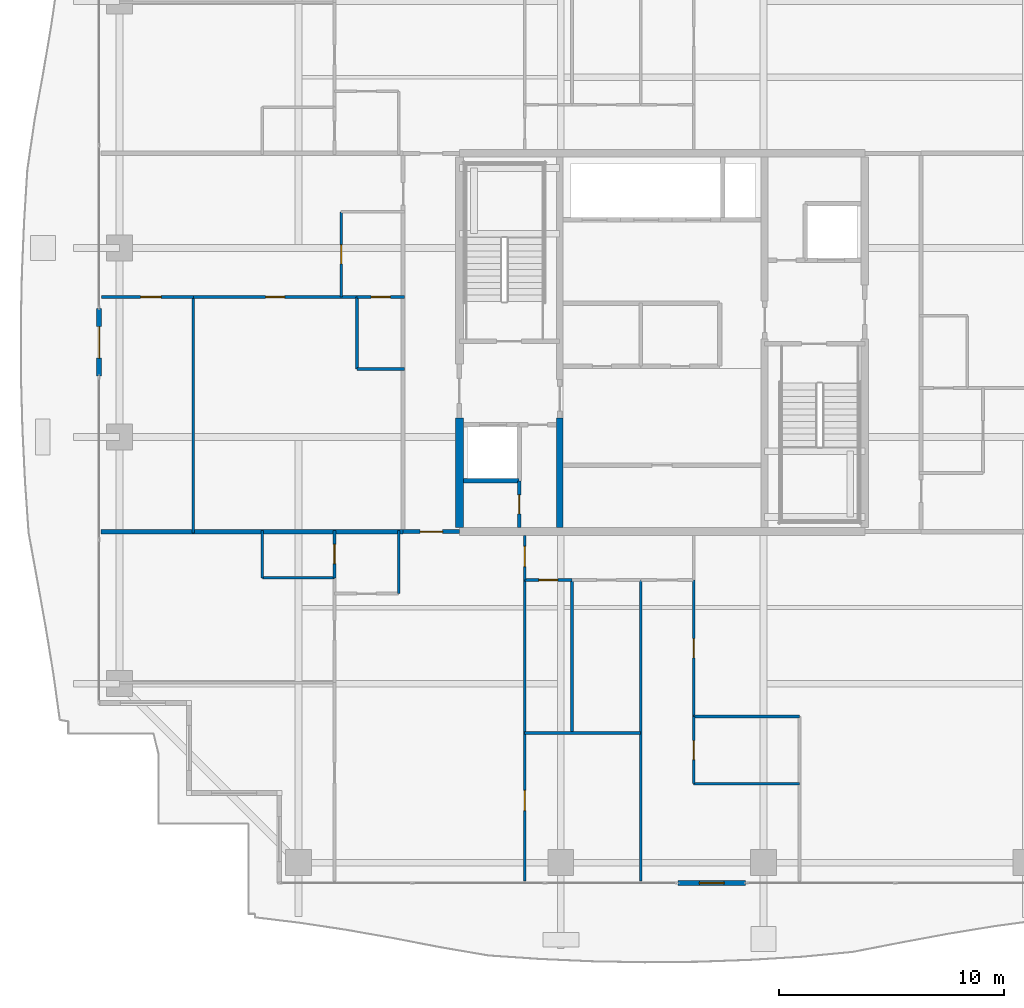
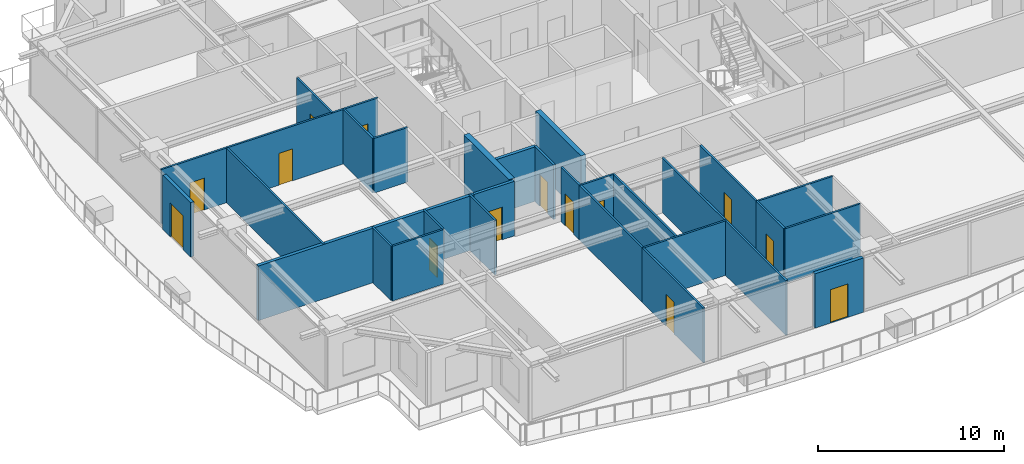
# One storey, part 25 of 36: 30 walls, 14 doors, 14 openings.
"""IFC4 building model written with IfcOpenShell, lengths in metres."""

from ifc_helpers import new_model, si_unit, direction, frame, frame_2d, origin, place, context, subcontext, project, spatial, rectangle, extrude, source, transform, mapped, material, layer, layer_set, type_object, element, fill, save


model = new_model("IFC4")

# Units and contexts
model_context = context("Model", 3, precision=1e-05, world=origin(), true_north=direction((0.0, 1.0)))
body_context = subcontext(model_context, "Body", "Model", "MODEL_VIEW")
ifc_project = project(units=[si_unit("LENGTHUNIT", "METRE"), si_unit("AREAUNIT", "SQUARE_METRE"), si_unit("VOLUMEUNIT", "CUBIC_METRE"), si_unit("PLANEANGLEUNIT", "RADIAN"), si_unit("MASSUNIT", "GRAM", prefix="KILO")], contexts=[model_context])

# Site, building, storey
site_placement = place(None, origin())
site = spatial("IfcSite", under=ifc_project, at=site_placement, CompositionType="ELEMENT")
building_placement = place(site_placement, origin())
building = spatial("IfcBuilding", under=site, at=building_placement, Name="Serunith Strait Residences", CompositionType="ELEMENT")
storey_placement = place(building_placement, frame((0.0, 0.0, 225.85009765625)))
storey = spatial("IfcBuildingStorey", under=building, at=storey_placement, Name="L56", CompositionType="ELEMENT", Elevation=225.85009765625)

# Wall, opening, door
ifc_material_1 = material(Name="Pale-Champagne Aluminium Insulated Panel", Category="aluminium")
ifc_layer_1 = layer(ifc_material_1, 0.219970703125, Name="Pale-Champagne Aluminium Insulated Panel")
ifc_layer_set_1 = layer_set([ifc_layer_1], Name="Pale-Champagne Aluminium Insulated Panel")
wall_type_1 = type_object("IfcWallType", Name="EW-ALUM-220", PredefinedType="ELEMENTEDWALL", material=ifc_layer_set_1)
wall_1_placement = place(storey_placement, frame((33.10009765625, 1.199951171875, 0.0), z_axis=(0.0, 0.0, 1.0), x_axis=(1.0, 0.0, 0.0)))
wall_1 = element("IfcWall", 1, at=wall_1_placement, inside=storey, type_object=wall_type_1, Name="L56 S Facade Pier Wall", PredefinedType="ELEMENTEDWALL", context=body_context, shape_type="SweptSolid", body=[
    extrude(rectangle(XDim=3.0, YDim=0.219970703125, at=frame_2d((1.5, 0.0))), origin(), (0.0, 0.0, 1.0), 3.574951171875),
])
opening_1_placement = place(wall_1_placement, frame((0.949951171875, 0.0, 0.0)))
opening_1 = element("IfcOpeningElement", 2, at=opening_1_placement, cuts=wall_1, Name="Opening ED-03", PredefinedType="OPENING", context=body_context, shape_type="SweptSolid", body=[
    extrude(rectangle(XDim=1.10009765625, YDim=2.199951171875, at=frame_2d((0.550048828125, 1.10009765625))), frame((0.0, 0.1201171875, 0.0), z_axis=(0.0, -1.0, 0.0), x_axis=(1.0, 0.0, 0.0)), (0.0, 0.0, 1.0), 0.239990234375),
])
ifc_material_2 = material(Name="Thermally-Broken Aluminium Glazed Balcony Door", Category="aluminium")
door_type_1 = type_object("IfcDoorType", Name="ED-BALC-1100", OperationType="NOTDEFINED", PredefinedType="DOOR", material=ifc_material_2)
shared_shape_1 = source(origin(), body_context, "Body", "SweptSolid", [
    extrude(rectangle(XDim=1.10009765625, YDim=2.199951171875, at=frame_2d((0.550048828125, 1.10009765625))), frame((0.0, 0.02490234375, 0.0), z_axis=(0.0, -1.0, 0.0), x_axis=(1.0, 0.0, 0.0)), (0.0, 0.0, 1.0), 0.050048828125),
])
door_1_placement = place(opening_1_placement, origin())
door_1 = element("IfcDoor", 3, at=door_1_placement, inside=storey, type_object=door_type_1, Name="L56 S Vertical-Forest Balcony Door", OperationType="SINGLE_SWING_LEFT", OverallHeight=2.199951171875, OverallWidth=1.10009765625, PredefinedType="DOOR", context=body_context, shape_type="MappedRepresentation", body=[
    mapped(shared_shape_1, transform((0.0, 0.0, 0.0), scale=1.0)),
])
fill(opening_1, door_1)

wall_2_placement = place(storey_placement, frame((7.39990234375, 26.699951171875, 0.0), z_axis=(0.0, 0.0, 1.0), x_axis=(0.0, -1.0, 0.0)))
wall_2 = element("IfcWall", 4, at=wall_2_placement, inside=storey, type_object=wall_type_1, Name="L56 W Facade Pier Wall", PredefinedType="ELEMENTEDWALL", context=body_context, shape_type="SweptSolid", body=[
    extrude(rectangle(XDim=3.0, YDim=0.219970703125, at=frame_2d((1.5, 0.0))), origin(), (0.0, 0.0, 1.0), 3.574951171875),
])
opening_2_placement = place(wall_2_placement, frame((0.800048828125, 0.0, 0.0)))
opening_2 = element("IfcOpeningElement", 5, at=opening_2_placement, cuts=wall_2, Name="Opening ED-04", PredefinedType="OPENING", context=body_context, shape_type="SweptSolid", body=[
    extrude(rectangle(XDim=1.39990234375, YDim=2.25, at=frame_2d((0.699951171875, 1.125))), frame((0.0, 0.1201171875, 0.0), z_axis=(0.0, -1.0, 0.0), x_axis=(1.0, 0.0, 0.0)), (0.0, 0.0, 1.0), 0.239990234375),
])
ifc_material_3 = material(Name="Thermally-Broken Aluminium Sliding Balcony Door", Category="aluminium")
door_type_2 = type_object("IfcDoorType", Name="ED-BALC-1400", OperationType="NOTDEFINED", PredefinedType="DOOR", material=ifc_material_3)
shared_shape_2 = source(origin(), body_context, "Body", "SweptSolid", [
    extrude(rectangle(XDim=1.39990234375, YDim=2.25, at=frame_2d((0.699951171875, 1.125))), frame((0.0, 0.02490234375, 0.0), z_axis=(0.0, -1.0, 0.0), x_axis=(1.0, 0.0, 0.0)), (0.0, 0.0, 1.0), 0.050048828125),
])
door_2_placement = place(opening_2_placement, origin())
door_2 = element("IfcDoor", 6, at=door_2_placement, inside=storey, type_object=door_type_2, Name="L56 W Vertical-Forest Balcony Door", OperationType="SLIDING_TO_LEFT", OverallHeight=2.25, OverallWidth=1.39990234375, PredefinedType="DOOR", context=body_context, shape_type="MappedRepresentation", body=[
    mapped(shared_shape_2, transform((0.0, 0.0, 0.0), scale=1.0)),
])
fill(opening_2, door_2)

ifc_material_4 = material(Name="Fire-rated masonry service closet wall", Category="masonry")
ifc_layer_2 = layer(ifc_material_4, 0.14990234375, Name="Fire-rated masonry service closet wall")
ifc_layer_set_2 = layer_set([ifc_layer_2], Name="Fire-rated masonry service closet wall")
wall_type_2 = type_object("IfcWallType", Name="IW-BOH-150", PredefinedType="PARTITIONING", material=ifc_layer_set_2)
wall_3_placement = place(storey_placement, frame((26.050048828125, 16.97509765625, 0.0), z_axis=(0.0, 0.0, 1.0), x_axis=(0.0, 1.0, 0.0)))
wall_3 = element("IfcWall", 7, at=wall_3_placement, inside=storey, type_object=wall_type_2, Name="L56 Partition Wall 011", PredefinedType="PARTITIONING", context=body_context, shape_type="SweptSolid", body=[
    extrude(rectangle(XDim=2.072998046875, YDim=0.14990234375, at=frame_2d((1.03662109375, 0.0))), origin(), (0.0, 0.0, 1.0), 3.58984375),
])
opening_3_placement = place(wall_3_placement, frame((0.611083984375, 0.0, 0.0)))
opening_3 = element("IfcOpeningElement", 8, at=opening_3_placement, cuts=wall_3, Name="Opening FD-850", PredefinedType="OPENING", context=body_context, shape_type="SweptSolid", body=[
    extrude(rectangle(XDim=0.85009765625, YDim=2.10009765625, at=frame_2d((0.425048828125, 1.050048828125))), frame((0.0, 0.0849609375, 0.0), z_axis=(0.0, -1.0, 0.0), x_axis=(1.0, 0.0, 0.0)), (0.0, 0.0, 1.0), 0.169921875),
])
ifc_material_5 = material(Name="Powder-coated steel service closet door", Category="steel")
door_type_3 = type_object("IfcDoorType", Name="FD-BOH-850", OperationType="NOTDEFINED", PredefinedType="DOOR", material=ifc_material_5)
shared_shape_3 = source(origin(), body_context, "Body", "SweptSolid", [
    extrude(rectangle(XDim=0.85009765625, YDim=2.10009765625, at=frame_2d((0.425048828125, 1.050048828125))), frame((0.0, 0.02490234375, 0.0), z_axis=(0.0, -1.0, 0.0), x_axis=(1.0, 0.0, 0.0)), (0.0, 0.0, 1.0), 0.050048828125),
])
door_3_placement = place(opening_3_placement, origin())
door_3 = element("IfcDoor", 9, at=door_3_placement, inside=storey, type_object=door_type_3, Name="L56 Cleaner Store Door", OperationType="SINGLE_SWING_LEFT", OverallHeight=2.10009765625, OverallWidth=0.85009765625, PredefinedType="DOOR", context=body_context, shape_type="MappedRepresentation", body=[
    mapped(shared_shape_3, transform((0.0, 0.0, 0.0), scale=1.0)),
])
fill(opening_3, door_3)

ifc_material_6 = material(Name="Fire-rated acoustic gypsum partition")
ifc_layer_3 = layer(ifc_material_6, 0.179931640625, Name="Fire-rated acoustic gypsum partition")
ifc_layer_set_3 = layer_set([ifc_layer_3], Name="Fire-rated acoustic gypsum partition")
wall_type_3 = type_object("IfcWallType", Name="IW-CORR-180", PredefinedType="PARTITIONING", material=ifc_layer_set_3)
wall_4_placement = place(storey_placement, frame((20.902099609375, 16.800048828125, 0.0), z_axis=(0.0, 0.0, 1.0), x_axis=(1.0, 0.0, 0.0)))
wall_4 = element("IfcWall", 10, at=wall_4_placement, inside=storey, type_object=wall_type_3, Name="L56 Partition Wall 022", PredefinedType="PARTITIONING", context=body_context, shape_type="SweptSolid", body=[
    extrude(rectangle(XDim=2.495849609375, YDim=0.179931640625, at=frame_2d((1.248046875, 0.0))), origin(), (0.0, 0.0, 1.0), 3.58984375),
])
opening_4_placement = place(wall_4_placement, frame((0.748046875, 0.0, 0.0)))
opening_4 = element("IfcOpeningElement", 11, at=opening_4_placement, cuts=wall_4, Name="Opening D-APT1000", PredefinedType="OPENING", context=body_context, shape_type="SweptSolid", body=[
    extrude(rectangle(XDim=1.0, YDim=2.14990234375, at=frame_2d((0.5, 1.074951171875))), frame((0.0, 0.10009765625, 0.0), z_axis=(0.0, -1.0, 0.0), x_axis=(1.0, 0.0, 0.0)), (0.0, 0.0, 1.0), 0.199951171875),
])
ifc_material_7 = material(Name="Solid timber engineered fire door", Category="wood")
door_type_4 = type_object("IfcDoorType", Name="ID-APT-1000", OperationType="NOTDEFINED", PredefinedType="DOOR", material=ifc_material_7)
shared_shape_4 = source(origin(), body_context, "Body", "SweptSolid", [
    extrude(rectangle(XDim=1.0, YDim=2.14990234375, at=frame_2d((0.5, 1.074951171875))), frame((0.0, 0.02490234375, 0.0), z_axis=(0.0, -1.0, 0.0), x_axis=(1.0, 0.0, 0.0)), (0.0, 0.0, 1.0), 0.050048828125),
])
door_4_placement = place(opening_4_placement, origin())
door_4 = element("IfcDoor", 12, at=door_4_placement, inside=storey, type_object=door_type_4, Name="L56 Unit 01 Entrance Door", OperationType="SINGLE_SWING_LEFT", OverallHeight=2.14990234375, OverallWidth=1.0, PredefinedType="DOOR", context=body_context, shape_type="MappedRepresentation", body=[
    mapped(shared_shape_4, transform((0.0, 0.0, 0.0), scale=1.0)),
])
fill(opening_4, door_4)

# Walls
ifc_material_8 = material(Name="Lightweight steel-stud gypsum partition", Category="steel")
ifc_layer_4 = layer(ifc_material_8, 0.1201171875, Name="Lightweight steel-stud gypsum partition")
ifc_layer_set_4 = layer_set([ifc_layer_4], Name="Lightweight steel-stud gypsum partition")
wall_type_4 = type_object("IfcWallType", Name="IW-PART-120", PredefinedType="PARTITIONING", material=ifc_layer_set_4)
wall_5_placement = place(storey_placement, frame((20.699951171875, 14.050048828125, 0.0), z_axis=(0.0, 0.0, 1.0), x_axis=(0.0, 1.0, 0.0)))
element("IfcWall", 13, at=wall_5_placement, inside=storey, type_object=wall_type_4, Name="L56 Partition Wall 029", PredefinedType="PARTITIONING", context=body_context, shape_type="SweptSolid", body=[
    extrude(rectangle(XDim=2.81005859375, YDim=0.1201171875, at=frame_2d((1.405029296875, 0.0))), origin(), (0.0, 0.0, 1.0), 3.58984375),
])
wall_6_placement = place(storey_placement, frame((14.64990234375, 14.75, 0.0), z_axis=(0.0, 0.0, 1.0), x_axis=(1.0, 0.0, 0.0)))
element("IfcWall", 14, at=wall_6_placement, inside=storey, type_object=wall_type_4, Name="L56 Partition Wall 032", PredefinedType="PARTITIONING", context=body_context, shape_type="SweptSolid", body=[
    extrude(rectangle(XDim=3.2001953125, YDim=0.1201171875, at=frame_2d((1.60009765625, 0.0))), origin(), (0.0, 0.0, 1.0), 3.58984375),
])
wall_7_placement = place(storey_placement, frame((14.64990234375, 14.75, 0.0), z_axis=(0.0, 0.0, 1.0), x_axis=(0.0, 1.0, 0.0)))
element("IfcWall", 15, at=wall_7_placement, inside=storey, type_object=wall_type_4, Name="L56 Partition Wall 033", PredefinedType="PARTITIONING", context=body_context, shape_type="SweptSolid", body=[
    extrude(rectangle(XDim=2.110107421875, YDim=0.1201171875, at=frame_2d((1.05517578125, 0.0))), origin(), (0.0, 0.0, 1.0), 3.58984375),
])

# Wall, opening, door
wall_8_placement = place(storey_placement, frame((17.85009765625, 14.751953125, 0.0), z_axis=(0.0, 0.0, 1.0), x_axis=(0.0, 1.0, 0.0)))
wall_8 = element("IfcWall", 16, at=wall_8_placement, inside=storey, type_object=wall_type_4, Name="L56 Partition Wall 035", PredefinedType="PARTITIONING", context=body_context, shape_type="SweptSolid", body=[
    extrude(rectangle(XDim=2.108154296875, YDim=0.1201171875, at=frame_2d((1.05419921875, 0.0))), origin(), (0.0, 0.0, 1.0), 3.58984375),
])
opening_5_placement = place(wall_8_placement, frame((0.62890625, 0.0, 0.0)))
opening_5 = element("IfcOpeningElement", 17, at=opening_5_placement, cuts=wall_8, Name="Opening D-BTH850", PredefinedType="OPENING", context=body_context, shape_type="SweptSolid", body=[
    extrude(rectangle(XDim=0.85009765625, YDim=2.10009765625, at=frame_2d((0.425048828125, 1.050048828125))), frame((0.0, 0.070068359375, 0.0), z_axis=(0.0, -1.0, 0.0), x_axis=(1.0, 0.0, 0.0)), (0.0, 0.0, 1.0), 0.14013671875),
])
ifc_material_9 = material(Name="Moisture-resistant timber bathroom door", Category="wood")
door_type_5 = type_object("IfcDoorType", Name="ID-BATH-850", OperationType="NOTDEFINED", PredefinedType="DOOR", material=ifc_material_9)
door_5_placement = place(opening_5_placement, origin())
door_5 = element("IfcDoor", 18, at=door_5_placement, inside=storey, type_object=door_type_5, Name="L56 Bathroom 5601 Door", OperationType="SINGLE_SWING_RIGHT", OverallHeight=2.10009765625, OverallWidth=0.85009765625, PredefinedType="DOOR", context=body_context, shape_type="MappedRepresentation", body=[
    mapped(shared_shape_3, transform((0.0, 0.0, 0.0), scale=1.0)),
])
fill(opening_5, door_5)

wall_9_placement = place(storey_placement, frame((26.300048828125, 14.64990234375, 0.0), z_axis=(0.0, 0.0, 1.0), x_axis=(0.0, 1.0, 0.0)))
wall_9 = element("IfcWall", 19, at=wall_9_placement, inside=storey, type_object=wall_type_4, Name="L56 Partition Wall 036", PredefinedType="PARTITIONING", context=body_context, shape_type="SweptSolid", body=[
    extrude(rectangle(XDim=1.97509765625, YDim=0.1201171875, at=frame_2d((0.987548828125, 0.0))), origin(), (0.0, 0.0, 1.0), 3.58984375),
])
opening_6_placement = place(wall_9_placement, frame((0.60107421875, 0.0, 0.0)))
opening_6 = element("IfcOpeningElement", 20, at=opening_6_placement, cuts=wall_9, Name="Opening D-RM900", PredefinedType="OPENING", context=body_context, shape_type="SweptSolid", body=[
    extrude(rectangle(XDim=0.89990234375, YDim=2.10009765625, at=frame_2d((0.449951171875, 1.050048828125))), frame((0.0, 0.070068359375, 0.0), z_axis=(0.0, -1.0, 0.0), x_axis=(1.0, 0.0, 0.0)), (0.0, 0.0, 1.0), 0.14013671875),
])
ifc_material_10 = material(Name="Engineered timber flush bedroom door", Category="wood")
door_type_6 = type_object("IfcDoorType", Name="ID-ROOM-900", OperationType="NOTDEFINED", PredefinedType="DOOR", material=ifc_material_10)
shared_shape_5 = source(origin(), body_context, "Body", "SweptSolid", [
    extrude(rectangle(XDim=0.89990234375, YDim=2.10009765625, at=frame_2d((0.449951171875, 1.050048828125))), frame((0.0, 0.02490234375, 0.0), z_axis=(0.0, -1.0, 0.0), x_axis=(1.0, 0.0, 0.0)), (0.0, 0.0, 1.0), 0.050048828125),
])
door_6_placement = place(opening_6_placement, origin())
door_6 = element("IfcDoor", 21, at=door_6_placement, inside=storey, type_object=door_type_6, Name="L56 Hall E 5601 Door", OperationType="SINGLE_SWING_LEFT", OverallHeight=2.10009765625, OverallWidth=0.89990234375, PredefinedType="DOOR", context=body_context, shape_type="MappedRepresentation", body=[
    mapped(shared_shape_5, transform((0.0, 0.0, 0.0), scale=1.0)),
])
fill(opening_6, door_6)

wall_10_placement = place(storey_placement, frame((26.300048828125, 1.294921875, 0.0), z_axis=(0.0, 0.0, 1.0), x_axis=(0.0, 1.0, 0.0)))
wall_10 = element("IfcWall", 22, at=wall_10_placement, inside=storey, type_object=wall_type_4, Name="L56 Partition Wall 037", PredefinedType="PARTITIONING", context=body_context, shape_type="SweptSolid", body=[
    extrude(rectangle(XDim=6.565185546875, YDim=0.1201171875, at=frame_2d((3.28271484375, 0.0))), origin(), (0.0, 0.0, 1.0), 3.58984375),
])
opening_7_placement = place(wall_10_placement, frame((3.115966796875, 0.0, 0.0)))
opening_7 = element("IfcOpeningElement", 23, at=opening_7_placement, cuts=wall_10, Name="Opening D-RM900", PredefinedType="OPENING", context=body_context, shape_type="SweptSolid", body=[
    extrude(rectangle(XDim=0.89990234375, YDim=2.10009765625, at=frame_2d((0.449951171875, 1.050048828125))), frame((0.0, 0.070068359375, 0.0), z_axis=(0.0, -1.0, 0.0), x_axis=(1.0, 0.0, 0.0)), (0.0, 0.0, 1.0), 0.14013671875),
])
door_7_placement = place(opening_7_placement, origin())
door_7 = element("IfcDoor", 24, at=door_7_placement, inside=storey, type_object=door_type_6, Name="L56 Formal Dining Room 2 5601 Door", OperationType="SINGLE_SWING_RIGHT", OverallHeight=2.10009765625, OverallWidth=0.89990234375, PredefinedType="DOOR", context=body_context, shape_type="MappedRepresentation", body=[
    mapped(shared_shape_5, transform((0.0, 0.0, 0.0), scale=1.0)),
])
fill(opening_7, door_7)

# Walls
wall_11_placement = place(storey_placement, frame((26.300048828125, 7.862060546875, 0.0), z_axis=(0.0, 0.0, 1.0), x_axis=(0.0, 1.0, 0.0)))
element("IfcWall", 25, at=wall_11_placement, inside=storey, type_object=wall_type_4, Name="L56 Partition Wall 038", PredefinedType="PARTITIONING", context=body_context, shape_type="SweptSolid", body=[
    extrude(rectangle(XDim=6.785888671875, YDim=0.1201171875, at=frame_2d((3.39306640625, 0.0))), origin(), (0.0, 0.0, 1.0), 3.58984375),
])
wall_12_placement = place(storey_placement, frame((26.300048828125, 7.860107421875, 0.0), z_axis=(0.0, 0.0, 1.0), x_axis=(1.0, 0.0, 0.0)))
element("IfcWall", 26, at=wall_12_placement, inside=storey, type_object=wall_type_4, Name="L56 Partition Wall 039", PredefinedType="PARTITIONING", context=body_context, shape_type="SweptSolid", body=[
    extrude(rectangle(XDim=5.14990234375, YDim=0.1201171875, at=frame_2d((2.574951171875, 0.0))), origin(), (0.0, 0.0, 1.0), 3.58984375),
])
wall_13_placement = place(storey_placement, frame((31.449951171875, 1.294921875, 0.0), z_axis=(0.0, 0.0, 1.0), x_axis=(0.0, 1.0, 0.0)))
element("IfcWall", 27, at=wall_13_placement, inside=storey, type_object=wall_type_4, Name="L56 Partition Wall 040", PredefinedType="PARTITIONING", context=body_context, shape_type="SweptSolid", body=[
    extrude(rectangle(XDim=13.35498046875, YDim=0.1201171875, at=frame_2d((6.677490234375, 0.0))), origin(), (0.0, 0.0, 1.0), 3.58984375),
])
wall_14_placement = place(storey_placement, frame((28.39990234375, 7.860107421875, 0.0), z_axis=(0.0, 0.0, 1.0), x_axis=(0.0, 1.0, 0.0)))
element("IfcWall", 28, at=wall_14_placement, inside=storey, type_object=wall_type_4, Name="L56 Partition Wall 041", PredefinedType="PARTITIONING", context=body_context, shape_type="SweptSolid", body=[
    extrude(rectangle(XDim=6.789794921875, YDim=0.1201171875, at=frame_2d((3.39501953125, 0.0))), origin(), (0.0, 0.0, 1.0), 3.58984375),
])

# Wall, opening, door
wall_15_placement = place(storey_placement, frame((26.300048828125, 14.64990234375, 0.0), z_axis=(0.0, 0.0, 1.0), x_axis=(1.0, 0.0, 0.0)))
wall_15 = element("IfcWall", 29, at=wall_15_placement, inside=storey, type_object=wall_type_4, Name="L56 Partition Wall 042", PredefinedType="PARTITIONING", context=body_context, shape_type="SweptSolid", body=[
    extrude(rectangle(XDim=2.099853515625, YDim=0.1201171875, at=frame_2d((1.0498046875, 0.0))), origin(), (0.0, 0.0, 1.0), 3.58984375),
])
opening_8_placement = place(wall_15_placement, frame((0.625, 0.0, 0.0)))
opening_8 = element("IfcOpeningElement", 30, at=opening_8_placement, cuts=wall_15, Name="Opening D-RM850", PredefinedType="OPENING", context=body_context, shape_type="SweptSolid", body=[
    extrude(rectangle(XDim=0.85009765625, YDim=2.10009765625, at=frame_2d((0.425048828125, 1.050048828125))), frame((0.0, 0.070068359375, 0.0), z_axis=(0.0, -1.0, 0.0), x_axis=(1.0, 0.0, 0.0)), (0.0, 0.0, 1.0), 0.14013671875),
])
ifc_material_11 = material(Name="Engineered timber flush study and kitchen door", Category="wood")
door_type_7 = type_object("IfcDoorType", Name="ID-ROOM-850", OperationType="NOTDEFINED", PredefinedType="DOOR", material=ifc_material_11)
door_8_placement = place(opening_8_placement, origin())
door_8 = element("IfcDoor", 31, at=door_8_placement, inside=storey, type_object=door_type_7, Name="L56 Study 5601 Door", OperationType="SINGLE_SWING_LEFT", OverallHeight=2.10009765625, OverallWidth=0.85009765625, PredefinedType="DOOR", context=body_context, shape_type="MappedRepresentation", body=[
    mapped(shared_shape_3, transform((0.0, 0.0, 0.0), scale=1.0)),
])
fill(opening_8, door_8)

# Walls
for number, where, z_axis, x_axis, name in (
    (32, (33.800048828125, 5.60888671875, 0.0), (0.0, 0.0, 1.0), (1.0, 0.0, 0.0), "L56 Partition Wall 045"),
    (33, (33.800048828125, 8.587890625, 0.0), (0.0, 0.0, 1.0), (1.0, 0.0, 0.0), "L56 Partition Wall 047"),
):
    element("IfcWall", number, at=place(storey_placement, frame(where, z_axis=z_axis, x_axis=x_axis)), inside=storey, type_object=wall_type_4, Name=name, PredefinedType="PARTITIONING", context=body_context, shape_type="SweptSolid", body=[
        extrude(rectangle(XDim=4.699951171875, YDim=0.1201171875, at=frame_2d((2.35009765625, 0.0))), origin(), (0.0, 0.0, 1.0), 3.58984375),
    ])

# Wall, opening, door
wall_16_placement = place(storey_placement, frame((33.800048828125, 5.60888671875, 0.0), z_axis=(0.0, 0.0, 1.0), x_axis=(0.0, 1.0, 0.0)))
wall_16 = element("IfcWall", 34, at=wall_16_placement, inside=storey, type_object=wall_type_4, Name="L56 Partition Wall 048", PredefinedType="PARTITIONING", context=body_context, shape_type="SweptSolid", body=[
    extrude(rectangle(XDim=2.97900390625, YDim=0.1201171875, at=frame_2d((1.489501953125, 0.0))), origin(), (0.0, 0.0, 1.0), 3.58984375),
])
opening_9_placement = place(wall_16_placement, frame((1.06396484375, 0.0, 0.0)))
opening_9 = element("IfcOpeningElement", 35, at=opening_9_placement, cuts=wall_16, Name="Opening D-BTH850", PredefinedType="OPENING", context=body_context, shape_type="SweptSolid", body=[
    extrude(rectangle(XDim=0.85009765625, YDim=2.10009765625, at=frame_2d((0.425048828125, 1.050048828125))), frame((0.0, 0.070068359375, 0.0), z_axis=(0.0, -1.0, 0.0), x_axis=(1.0, 0.0, 0.0)), (0.0, 0.0, 1.0), 0.14013671875),
])
door_9_placement = place(opening_9_placement, origin())
door_9 = element("IfcDoor", 36, at=door_9_placement, inside=storey, type_object=door_type_5, Name="L56 En-suite Bathroom E 5601 Door", OperationType="SINGLE_SWING_RIGHT", OverallHeight=2.10009765625, OverallWidth=0.85009765625, PredefinedType="DOOR", context=body_context, shape_type="MappedRepresentation", body=[
    mapped(shared_shape_3, transform((0.0, 0.0, 0.0), scale=1.0)),
])
fill(opening_9, door_9)

wall_17_placement = place(storey_placement, frame((33.800048828125, 8.590087890625, 0.0), z_axis=(0.0, 0.0, 1.0), x_axis=(0.0, 1.0, 0.0)))
wall_17 = element("IfcWall", 37, at=wall_17_placement, inside=storey, type_object=wall_type_4, Name="L56 Partition Wall 049", PredefinedType="PARTITIONING", context=body_context, shape_type="SweptSolid", body=[
    extrude(rectangle(XDim=6.059814453125, YDim=0.1201171875, at=frame_2d((3.02978515625, 0.0))), origin(), (0.0, 0.0, 1.0), 3.58984375),
])
opening_10_placement = place(wall_17_placement, frame((2.60498046875, 0.0, 0.0)))
opening_10 = element("IfcOpeningElement", 38, at=opening_10_placement, cuts=wall_17, Name="Opening D-RM850", PredefinedType="OPENING", context=body_context, shape_type="SweptSolid", body=[
    extrude(rectangle(XDim=0.85009765625, YDim=2.10009765625, at=frame_2d((0.425048828125, 1.050048828125))), frame((0.0, 0.070068359375, 0.0), z_axis=(0.0, -1.0, 0.0), x_axis=(1.0, 0.0, 0.0)), (0.0, 0.0, 1.0), 0.14013671875),
])
door_10_placement = place(opening_10_placement, origin())
door_10 = element("IfcDoor", 39, at=door_10_placement, inside=storey, type_object=door_type_7, Name="L56 Wardrobe E 5601 Door", OperationType="SINGLE_SWING_LEFT", OverallHeight=2.10009765625, OverallWidth=0.85009765625, PredefinedType="DOOR", context=body_context, shape_type="MappedRepresentation", body=[
    mapped(shared_shape_3, transform((0.0, 0.0, 0.0), scale=1.0)),
])
fill(opening_10, door_10)

wall_18_placement = place(storey_placement, frame((18.14990234375, 27.219970703125, 0.0), z_axis=(0.0, 0.0, 1.0), x_axis=(0.0, 1.0, 0.0)))
wall_18 = element("IfcWall", 40, at=wall_18_placement, inside=storey, type_object=wall_type_4, Name="L56 Partition Wall 074", PredefinedType="PARTITIONING", context=body_context, shape_type="SweptSolid", body=[
    extrude(rectangle(XDim=3.780029296875, YDim=0.1201171875, at=frame_2d((1.89013671875, 0.0))), origin(), (0.0, 0.0, 1.0), 3.58984375),
])
opening_11_placement = place(wall_18_placement, frame((1.465087890625, 0.0, 0.0)))
opening_11 = element("IfcOpeningElement", 41, at=opening_11_placement, cuts=wall_18, Name="Opening D-RM850", PredefinedType="OPENING", context=body_context, shape_type="SweptSolid", body=[
    extrude(rectangle(XDim=0.85009765625, YDim=2.10009765625, at=frame_2d((0.425048828125, 1.050048828125))), frame((0.0, 0.070068359375, 0.0), z_axis=(0.0, -1.0, 0.0), x_axis=(1.0, 0.0, 0.0)), (0.0, 0.0, 1.0), 0.14013671875),
])
door_11_placement = place(opening_11_placement, origin())
door_11 = element("IfcDoor", 42, at=door_11_placement, inside=storey, type_object=door_type_7, Name="L56 Kitchen 5603 Door", OperationType="SINGLE_SWING_LEFT", OverallHeight=2.10009765625, OverallWidth=0.85009765625, PredefinedType="DOOR", context=body_context, shape_type="MappedRepresentation", body=[
    mapped(shared_shape_3, transform((0.0, 0.0, 0.0), scale=1.0)),
])
fill(opening_11, door_11)

wall_19_placement = place(storey_placement, frame((7.4951171875, 27.219970703125, 0.0), z_axis=(0.0, 0.0, 1.0), x_axis=(1.0, 0.0, 0.0)))
wall_19 = element("IfcWall", 43, at=wall_19_placement, inside=storey, type_object=wall_type_4, Name="L56 Partition Wall 076", PredefinedType="PARTITIONING", context=body_context, shape_type="SweptSolid", body=[
    extrude(rectangle(XDim=4.0888671875, YDim=0.1201171875, at=frame_2d((2.04443359375, 0.0))), origin(), (0.0, 0.0, 1.0), 3.58984375),
])
opening_12_placement = place(wall_19_placement, frame((1.75390625, 0.0, 0.0)))
opening_12 = element("IfcOpeningElement", 44, at=opening_12_placement, cuts=wall_19, Name="Opening D-RM900", PredefinedType="OPENING", context=body_context, shape_type="SweptSolid", body=[
    extrude(rectangle(XDim=0.89990234375, YDim=2.10009765625, at=frame_2d((0.449951171875, 1.050048828125))), frame((0.0, 0.070068359375, 0.0), z_axis=(0.0, -1.0, 0.0), x_axis=(1.0, 0.0, 0.0)), (0.0, 0.0, 1.0), 0.14013671875),
])
door_12_placement = place(opening_12_placement, origin())
door_12 = element("IfcDoor", 45, at=door_12_placement, inside=storey, type_object=door_type_6, Name="L56 Master Bedroom 1 5603 Door", OperationType="SINGLE_SWING_RIGHT", OverallHeight=2.10009765625, OverallWidth=0.89990234375, PredefinedType="DOOR", context=body_context, shape_type="MappedRepresentation", body=[
    mapped(shared_shape_5, transform((0.0, 0.0, 0.0), scale=1.0)),
])
fill(opening_12, door_12)

# Walls
wall_20_placement = place(storey_placement, frame((11.583984375, 16.739990234375, 0.0), z_axis=(0.0, 0.0, 1.0), x_axis=(0.0, 1.0, 0.0)))
element("IfcWall", 46, at=wall_20_placement, inside=storey, type_object=wall_type_4, Name="L56 Partition Wall 077", PredefinedType="PARTITIONING", context=body_context, shape_type="SweptSolid", body=[
    extrude(rectangle(XDim=10.47998046875, YDim=0.1201171875, at=frame_2d((5.239990234375, 0.0))), origin(), (0.0, 0.0, 1.0), 3.58984375),
])
wall_21_placement = place(storey_placement, frame((18.85009765625, 24.02001953125, 0.0), z_axis=(0.0, 0.0, 1.0), x_axis=(0.0, 1.0, 0.0)))
element("IfcWall", 47, at=wall_21_placement, inside=storey, type_object=wall_type_4, Name="L56 Partition Wall 078", PredefinedType="PARTITIONING", context=body_context, shape_type="SweptSolid", body=[
    extrude(rectangle(XDim=3.199951171875, YDim=0.1201171875, at=frame_2d((1.60009765625, 0.0))), origin(), (0.0, 0.0, 1.0), 3.58984375),
])
wall_22_placement = place(storey_placement, frame((18.85009765625, 24.02001953125, 0.0), z_axis=(0.0, 0.0, 1.0), x_axis=(1.0, 0.0, 0.0)))
element("IfcWall", 48, at=wall_22_placement, inside=storey, type_object=wall_type_4, Name="L56 Partition Wall 079", PredefinedType="PARTITIONING", context=body_context, shape_type="SweptSolid", body=[
    extrude(rectangle(XDim=2.10986328125, YDim=0.1201171875, at=frame_2d((1.054931640625, 0.0))), origin(), (0.0, 0.0, 1.0), 3.58984375),
])

# Wall, opening, door
wall_23_placement = place(storey_placement, frame((11.5859375, 27.219970703125, 0.0), z_axis=(0.0, 0.0, 1.0), x_axis=(1.0, 0.0, 0.0)))
wall_23 = element("IfcWall", 49, at=wall_23_placement, inside=storey, type_object=wall_type_4, Name="L56 Partition Wall 080", PredefinedType="PARTITIONING", context=body_context, shape_type="SweptSolid", body=[
    extrude(rectangle(XDim=7.26416015625, YDim=0.1201171875, at=frame_2d((3.632080078125, 0.0))), origin(), (0.0, 0.0, 1.0), 3.58984375),
])
opening_13_placement = place(wall_23_placement, frame((3.20703125, 0.0, 0.0)))
opening_13 = element("IfcOpeningElement", 50, at=opening_13_placement, cuts=wall_23, Name="Opening D-RM850", PredefinedType="OPENING", context=body_context, shape_type="SweptSolid", body=[
    extrude(rectangle(XDim=0.85009765625, YDim=2.10009765625, at=frame_2d((0.425048828125, 1.050048828125))), frame((0.0, 0.070068359375, 0.0), z_axis=(0.0, -1.0, 0.0), x_axis=(1.0, 0.0, 0.0)), (0.0, 0.0, 1.0), 0.14013671875),
])
door_13_placement = place(opening_13_placement, origin())
door_13 = element("IfcDoor", 51, at=door_13_placement, inside=storey, type_object=door_type_7, Name="L56 Walk-in Wardrobe 5603 Door", OperationType="SINGLE_SWING_LEFT", OverallHeight=2.10009765625, OverallWidth=0.85009765625, PredefinedType="DOOR", context=body_context, shape_type="MappedRepresentation", body=[
    mapped(shared_shape_3, transform((0.0, 0.0, 0.0), scale=1.0)),
])
fill(opening_13, door_13)

wall_24_placement = place(storey_placement, frame((18.85205078125, 27.219970703125, 0.0), z_axis=(0.0, 0.0, 1.0), x_axis=(1.0, 0.0, 0.0)))
wall_24 = element("IfcWall", 52, at=wall_24_placement, inside=storey, type_object=wall_type_4, Name="L56 Partition Wall 081", PredefinedType="PARTITIONING", context=body_context, shape_type="SweptSolid", body=[
    extrude(rectangle(XDim=2.10791015625, YDim=0.1201171875, at=frame_2d((1.053955078125, 0.0))), origin(), (0.0, 0.0, 1.0), 3.58984375),
])
opening_14_placement = place(wall_24_placement, frame((0.62890625, 0.0, 0.0)))
opening_14 = element("IfcOpeningElement", 53, at=opening_14_placement, cuts=wall_24, Name="Opening D-BTH850", PredefinedType="OPENING", context=body_context, shape_type="SweptSolid", body=[
    extrude(rectangle(XDim=0.85009765625, YDim=2.10009765625, at=frame_2d((0.425048828125, 1.050048828125))), frame((0.0, 0.070068359375, 0.0), z_axis=(0.0, -1.0, 0.0), x_axis=(1.0, 0.0, 0.0)), (0.0, 0.0, 1.0), 0.14013671875),
])
door_14_placement = place(opening_14_placement, origin())
door_14 = element("IfcDoor", 54, at=door_14_placement, inside=storey, type_object=door_type_5, Name="L56 Bathroom 5603 Door", OperationType="SINGLE_SWING_RIGHT", OverallHeight=2.10009765625, OverallWidth=0.85009765625, PredefinedType="DOOR", context=body_context, shape_type="MappedRepresentation", body=[
    mapped(shared_shape_3, transform((0.0, 0.0, 0.0), scale=1.0)),
])
fill(opening_14, door_14)

# Walls
ifc_material_12 = material(Name="Twin-stud acoustic gypsum board partition")
ifc_layer_5 = layer(ifc_material_12, 0.199951171875, Name="Twin-stud acoustic gypsum board partition")
ifc_layer_set_5 = layer_set([ifc_layer_5], Name="Twin-stud acoustic gypsum board partition")
wall_type_5 = type_object("IfcWallType", Name="IW-PARTY-200", PredefinedType="PARTITIONING", material=ifc_layer_set_5)
wall_25_placement = place(storey_placement, frame((7.48193359375, 16.800048828125, 0.0), z_axis=(0.0, 0.0, 1.0), x_axis=(1.0, 0.0, 0.0)))
element("IfcWall", 55, at=wall_25_placement, inside=storey, type_object=wall_type_5, Name="L56 Partition Wall 018", PredefinedType="PARTITIONING", context=body_context, shape_type="SweptSolid", body=[
    extrude(rectangle(XDim=13.41796875, YDim=0.199951171875, at=frame_2d((6.708984375, 0.0))), origin(), (0.0, 0.0, 1.0), 3.58984375),
])
ifc_material_13 = material(Name="Autoclaved aerated concrete blockwork", Category="masonry")
ifc_layer_6 = layer(ifc_material_13, 0.199951171875, Name="Autoclaved aerated concrete blockwork")
ifc_layer_set_6 = layer_set([ifc_layer_6], Name="Autoclaved aerated concrete blockwork")
wall_type_6 = type_object("IfcWallType", Name="IW-SHAFT-200", PredefinedType="STANDARD", material=ifc_layer_set_6)
wall_26_placement = place(storey_placement, frame((23.574951171875, 19.050048828125, 0.0), z_axis=(0.0, 0.0, 1.0), x_axis=(1.0, 0.0, 0.0)))
element("IfcWall", 56, at=wall_26_placement, inside=storey, type_object=wall_type_6, Name="L56 Partition Wall 002", PredefinedType="STANDARD", context=body_context, shape_type="SweptSolid", body=[
    extrude(rectangle(XDim=2.47509765625, YDim=0.199951171875, at=frame_2d((1.237548828125, 0.0))), origin(), (0.0, 0.0, 1.0), 3.58984375),
])
ifc_material_14 = material(Name="Concrete C60/75", Category="concrete")
ifc_layer_7 = layer(ifc_material_14, 0.300048828125, Name="Concrete C60/75")
ifc_layer_set_7 = layer_set([ifc_layer_7], Name="Concrete C60/75")
wall_type_7 = type_object("IfcWallType", Name="SW-300-C60", PredefinedType="SHEAR", material=ifc_layer_set_7)
wall_27_placement = place(storey_placement, frame((27.85009765625, 16.97509765625, -0.260009765625), z_axis=(0.0, 0.0, 1.0), x_axis=(0.0, 1.0, 0.0)))
element("IfcWall", 57, at=wall_27_placement, inside=storey, type_object=wall_type_7, Name="L56 Core Internal West Web South Pier", PredefinedType="SHEAR", context=body_context, shape_type="SweptSolid", body=[
    extrude(rectangle(XDim=4.875, YDim=0.300048828125, at=frame_2d((2.4375, 0.0))), origin(), (0.0, 0.0, 1.0), 3.847900390625),
])
ifc_layer_8 = layer(ifc_material_14, 0.35009765625, Name="Concrete C60/75")
ifc_layer_set_8 = layer_set([ifc_layer_8], Name="Concrete C60/75")
wall_type_8 = type_object("IfcWallType", Name="SW-350-C60", PredefinedType="SHEAR", material=ifc_layer_set_8)
wall_28_placement = place(storey_placement, frame((23.39990234375, 16.97509765625, -0.260009765625), z_axis=(0.0, 0.0, 1.0), x_axis=(0.0, 1.0, 0.0)))
element("IfcWall", 58, at=wall_28_placement, inside=storey, type_object=wall_type_8, Name="L56 Core West Shear Wall South Pier", PredefinedType="SHEAR", context=body_context, shape_type="SweptSolid", body=[
    extrude(rectangle(XDim=4.875, YDim=0.35009765625, at=frame_2d((2.4375, 0.0))), origin(), (0.0, 0.0, 1.0), 3.847900390625),
])

save(model, "model.ifc")
